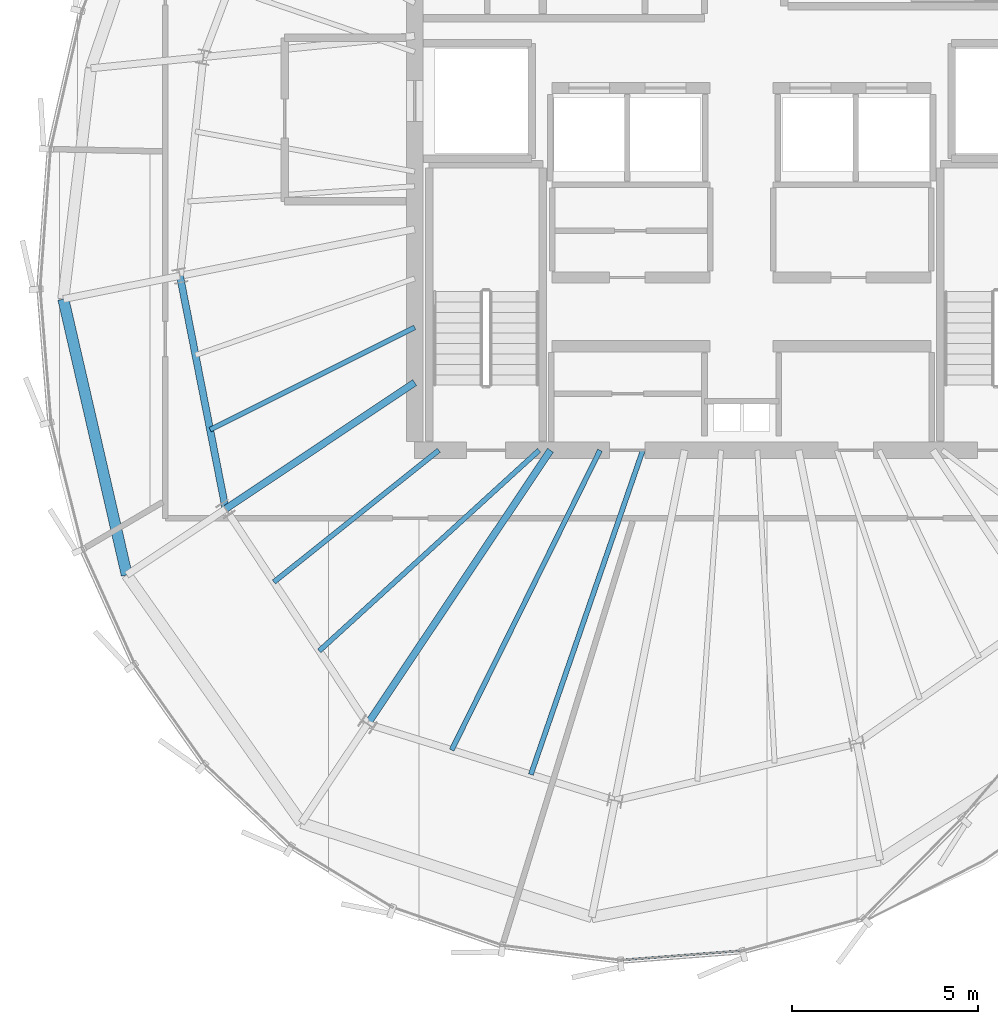
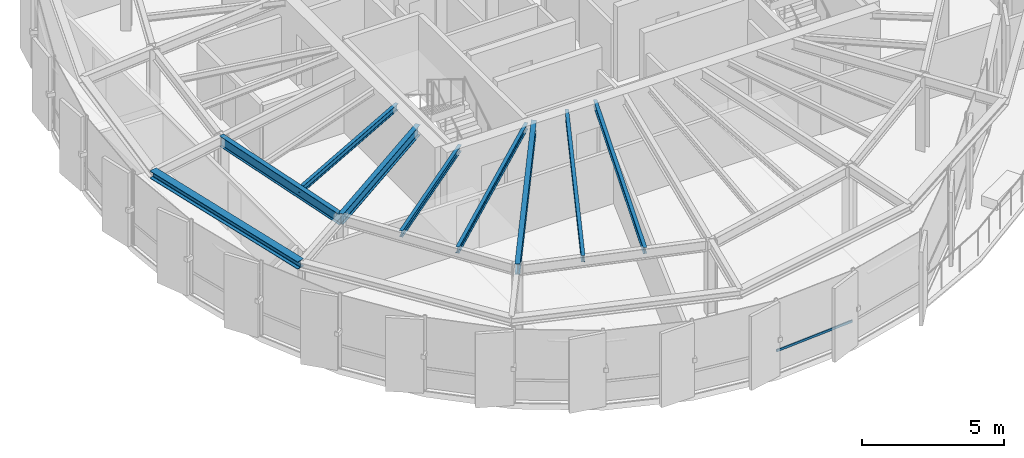
# One storey, part 5 of 30: 9 beams, 1 member, 1 element without a shape of its own.
"""IFC4 building model written with IfcOpenShell, lengths in metres."""

from ifc_helpers import new_model, si_unit, direction, frame, origin, origin_2d, place, context, subcontext, project, spatial, hollow_rectangle, i_section, extrude, source, transform, mapped, material, layer, layer_set, material_profile, profile_set, type_object, element, aggregate, save


model = new_model("IFC4")

# Units and contexts
model_context = context("Model", 3, precision=1e-05, world=origin(), true_north=direction((0.0, 1.0)))
body_context = subcontext(model_context, "Body", "Model", "MODEL_VIEW")
ifc_project = project(units=[si_unit("LENGTHUNIT", "METRE"), si_unit("AREAUNIT", "SQUARE_METRE"), si_unit("VOLUMEUNIT", "CUBIC_METRE"), si_unit("PLANEANGLEUNIT", "RADIAN"), si_unit("MASSUNIT", "GRAM", prefix="KILO"), si_unit("THERMODYNAMICTEMPERATUREUNIT", "KELVIN")], contexts=[model_context])

# Site, building, storey
site_placement = place(None, origin())
site = spatial("IfcSite", under=ifc_project, at=site_placement, CompositionType="ELEMENT")
building_placement = place(site_placement, origin())
building = spatial("IfcBuilding", under=site, at=building_placement, Name="Kethvar Cultural Tower", CompositionType="ELEMENT")
storey_placement = place(building_placement, frame((0.0, 0.0, 293.949951171875)))
storey = spatial("IfcBuildingStorey", under=building, at=storey_placement, Name="L78", CompositionType="ELEMENT", Elevation=293.949951171875)

# Beams
ifc_material_1 = material(Name="Steel S355J2", Category="steel")
ifc_material_profile_1 = material_profile(ifc_material_1, i_section(OverallWidth=0.18994140625, OverallDepth=0.449951171875, WebThickness=0.009521484375, FlangeThickness=0.0146484375, FilletRadius=0.02099609375, at=origin_2d()), Name="Steel S355J2 — IPE450")
ifc_profile_set_1 = profile_set([ifc_material_profile_1], Name="Steel S355J2 — IPE450")
beam_type_1 = type_object("IfcBeamType", Name="BM-IPE450", PredefinedType="BEAM", material=ifc_profile_set_1)
shared_shape_1 = source(origin(), body_context, "Body", "SweptSolid", [
    extrude(i_section(OverallWidth=0.18994140625, OverallDepth=0.449951171875, WebThickness=0.009521484375, FlangeThickness=0.0146484375, FilletRadius=0.02099609375, at=origin_2d()), origin(), (0.0, 0.0, 1.0), 6.118408203125),
])
beam_1_placement = place(storey_placement, frame((38.0, 21.920166015625, 2.983154296875), z_axis=(-0.831466631282, -0.555574694406, 0.0), x_axis=(0.555574694406, -0.831466631282, 0.0)))
element("IfcBeam", 1, at=beam_1_placement, inside=storey, type_object=beam_type_1, Name="L78 Primary Radial Beam RB-10", PredefinedType="BEAM", context=body_context, shape_type="MappedRepresentation", body=[
    mapped(shared_shape_1, transform((0.0, 0.0, 0.0), scale=1.0)),
])
shared_shape_2 = source(origin(), body_context, "Body", "SweptSolid", [
    extrude(i_section(OverallWidth=0.18994140625, OverallDepth=0.449951171875, WebThickness=0.009521484375, FlangeThickness=0.0146484375, FilletRadius=0.02099609375, at=origin_2d()), origin(), (0.0, 0.0, 1.0), 8.86279296875),
])
beam_2_placement = place(storey_placement, frame((41.655029296875, 20.10009765625, 2.983154296875), z_axis=(-0.555564443415, -0.831473480764, 0.0), x_axis=(0.831473480764, -0.555564443415, 0.0)))
element("IfcBeam", 2, at=beam_2_placement, inside=storey, type_object=beam_type_1, Name="L78 Primary Radial Beam RB-11", PredefinedType="BEAM", context=body_context, shape_type="MappedRepresentation", body=[
    mapped(shared_shape_2, transform((0.0, 0.0, 0.0), scale=1.0)),
])
shared_shape_3 = source(origin(), body_context, "Body", "SweptSolid", [
    extrude(i_section(OverallWidth=0.18994140625, OverallDepth=0.449951171875, WebThickness=0.009521484375, FlangeThickness=0.0146484375, FilletRadius=0.02099609375, at=origin_2d()), origin(), (0.0, 0.0, 1.0), 6.391357421875),
])
beam_3_placement = place(storey_placement, frame((31.68310546875, 24.79296875, 2.983154296875), z_axis=(0.192405084368, -0.981315588131, 0.0), x_axis=(0.981315588131, 0.192405084368, 0.0)))
element("IfcBeam", 3, at=beam_3_placement, inside=storey, type_object=beam_type_1, Name="L78 Column Ring Tie Beam CR-09", PredefinedType="BEAM", context=body_context, shape_type="MappedRepresentation", body=[
    mapped(shared_shape_3, transform((0.0, 0.0, 0.0), scale=1.0)),
])
ifc_material_profile_2 = material_profile(ifc_material_1, i_section(OverallWidth=0.300048828125, OverallDepth=0.320068359375, WebThickness=0.011474609375, FlangeThickness=0.0205078125, FilletRadius=0.027099609375, at=origin_2d()), Name="Steel S355J2 — HEB320")
ifc_profile_set_2 = profile_set([ifc_material_profile_2], Name="Steel S355J2 — HEB320")
beam_type_2 = type_object("IfcBeamType", Name="BM-SP320", PredefinedType="SPANDREL", material=ifc_profile_set_2)
shared_shape_4 = source(origin(), body_context, "Body", "SweptSolid", [
    extrude(i_section(OverallWidth=0.300048828125, OverallDepth=0.320068359375, WebThickness=0.011474609375, FlangeThickness=0.0205078125, FilletRadius=0.027099609375, at=origin_2d()), origin(), (0.0, 0.0, 1.0), 7.619384765625),
])
beam_4_placement = place(storey_placement, frame((28.54443359375, 24.168701171875, 3.048095703125), z_axis=(0.224133998424, -0.974558336248, 0.0), x_axis=(0.974558336248, 0.224133998424, 0.0)))
element("IfcBeam", 4, at=beam_4_placement, inside=storey, type_object=beam_type_2, Name="L78 Perimeter Spandrel Beam SP-09", PredefinedType="SPANDREL", context=body_context, shape_type="MappedRepresentation", body=[
    mapped(shared_shape_4, transform((0.0, 0.0, 0.0), scale=1.0)),
])
ifc_material_profile_3 = material_profile(ifc_material_1, i_section(OverallWidth=0.135009765625, OverallDepth=0.27001953125, WebThickness=0.006591796875, FlangeThickness=0.01025390625, FilletRadius=0.014892578125, at=origin_2d()), Name="Steel S355J2 — IPE270")
ifc_profile_set_3 = profile_set([ifc_material_profile_3], Name="Steel S355J2 — IPE270")
beam_type_3 = type_object("IfcBeamType", Name="BM-J270", PredefinedType="JOIST", material=ifc_profile_set_3)
shared_shape_5 = source(origin(), body_context, "Body", "SweptSolid", [
    extrude(i_section(OverallWidth=0.135009765625, OverallDepth=0.27001953125, WebThickness=0.006591796875, FlangeThickness=0.01025390625, FilletRadius=0.014892578125, at=origin_2d()), origin(), (0.0, 0.0, 1.0), 6.154052734375),
])
beam_5_placement = place(storey_placement, frame((38.0, 23.40380859375, 3.072998046875), z_axis=(-0.89458581954, -0.446896197655, 0.0), x_axis=(0.446896197655, -0.89458581954, 0.0)))
element("IfcBeam", 5, at=beam_5_placement, inside=storey, type_object=beam_type_3, Name="L78 Composite Floor Joist J-09B", PredefinedType="JOIST", context=body_context, shape_type="MappedRepresentation", body=[
    mapped(shared_shape_5, transform((0.0, 0.0, 0.0), scale=1.0)),
])
shared_shape_6 = source(origin(), body_context, "Body", "SweptSolid", [
    extrude(i_section(OverallWidth=0.135009765625, OverallDepth=0.27001953125, WebThickness=0.006591796875, FlangeThickness=0.01025390625, FilletRadius=0.014892578125, at=origin_2d()), origin(), (0.0, 0.0, 1.0), 5.68212890625),
])
beam_6_placement = place(storey_placement, frame((38.64990234375, 20.10009765625, 3.072998046875), z_axis=(-0.781157957733, -0.624333440615, 0.0), x_axis=(0.624333440615, -0.781157957733, 0.0)))
element("IfcBeam", 6, at=beam_6_placement, inside=storey, type_object=beam_type_3, Name="L78 Composite Floor Joist J-10A", PredefinedType="JOIST", context=body_context, shape_type="MappedRepresentation", body=[
    mapped(shared_shape_6, transform((0.0, 0.0, 0.0), scale=1.0)),
])
shared_shape_7 = source(origin(), body_context, "Body", "SweptSolid", [
    extrude(i_section(OverallWidth=0.135009765625, OverallDepth=0.27001953125, WebThickness=0.006591796875, FlangeThickness=0.01025390625, FilletRadius=0.014892578125, at=origin_2d()), origin(), (0.0, 0.0, 1.0), 8.010986328125),
])
beam_7_placement = place(storey_placement, frame((41.35009765625, 20.10009765625, 3.072998046875), z_axis=(-0.738614798856, -0.674127717061, 0.0), x_axis=(0.674127717061, -0.738614798856, 0.0)))
element("IfcBeam", 7, at=beam_7_placement, inside=storey, type_object=beam_type_3, Name="L78 Composite Floor Joist J-10B", PredefinedType="JOIST", context=body_context, shape_type="MappedRepresentation", body=[
    mapped(shared_shape_7, transform((0.0, 0.0, 0.0), scale=1.0)),
])
shared_shape_8 = source(origin(), body_context, "Body", "SweptSolid", [
    extrude(i_section(OverallWidth=0.135009765625, OverallDepth=0.27001953125, WebThickness=0.006591796875, FlangeThickness=0.01025390625, FilletRadius=0.014892578125, at=origin_2d()), origin(), (0.0, 0.0, 1.0), 9.00341796875),
])
beam_8_placement = place(storey_placement, frame((42.989501953125, 20.10009765625, 3.072998046875), z_axis=(-0.443543695319, -0.896252749141, 0.0), x_axis=(0.896252749141, -0.443543695319, 0.0)))
element("IfcBeam", 8, at=beam_8_placement, inside=storey, type_object=beam_type_3, Name="L78 Composite Floor Joist J-11A", PredefinedType="JOIST", context=body_context, shape_type="MappedRepresentation", body=[
    mapped(shared_shape_8, transform((0.0, 0.0, 0.0), scale=1.0)),
])
shared_shape_9 = source(origin(), body_context, "Body", "SweptSolid", [
    extrude(i_section(OverallWidth=0.135009765625, OverallDepth=0.27001953125, WebThickness=0.006591796875, FlangeThickness=0.01025390625, FilletRadius=0.014892578125, at=origin_2d()), origin(), (0.0, 0.0, 1.0), 9.234130859375),
])
beam_9_placement = place(storey_placement, frame((44.1416015625, 20.10009765625, 3.072998046875), z_axis=(-0.326362208058, -0.945244787953, 0.0), x_axis=(0.945244787953, -0.326362208058, 0.0)))
element("IfcBeam", 9, at=beam_9_placement, inside=storey, type_object=beam_type_3, Name="L78 Composite Floor Joist J-11B", PredefinedType="JOIST", context=body_context, shape_type="MappedRepresentation", body=[
    mapped(shared_shape_9, transform((0.0, 0.0, 0.0), scale=1.0)),
])

# Curtain wall, member
ifc_material_2 = material(Name="Aluminium 6063-T6", Category="aluminium")
ifc_layer = layer(ifc_material_2, 0.179931640625, Name="Aluminium 6063-T6", Category="aluminium")
ifc_layer_set = layer_set([ifc_layer], Name="Aluminium 6063-T6 (180 mm)")
curtain_wall_type = type_object("IfcCurtainWallType", Name="CW-SYS-05-Z56", PredefinedType="NOTDEFINED", material=ifc_layer_set)
curtain_wall_placement = place(storey_placement, origin())
curtain_wall = element("IfcCurtainWall", 10, at=curtain_wall_placement, inside=storey, type_object=curtain_wall_type, Name="L78 Curtain Wall Run 04", PredefinedType="NOTDEFINED")
ifc_material_profile_4 = material_profile(ifc_material_2, hollow_rectangle(XDim=0.050048828125, YDim=0.10009765625, WallThickness=0.00390625, at=origin_2d()), Name="Aluminium 6063-T6 — RHS100x50x4")
ifc_profile_set_4 = profile_set([ifc_material_profile_4], Name="Aluminium 6063-T6 — RHS100x50x4")
member_type = type_object("IfcMemberType", Name="CW-SYS-05-Z56-TRN", PredefinedType="USERDEFINED", material=ifc_profile_set_4)
shared_shape_10 = source(origin(), body_context, "Body", "SweptSolid", [
    extrude(hollow_rectangle(XDim=0.050048828125, YDim=0.10009765625, WallThickness=0.00390625, at=origin_2d()), origin(), (0.0, 0.0, 1.0), 3.227783203125),
])
member_placement = place(storey_placement, frame((43.582275390625, 6.380859375, 0.949951171875), z_axis=(0.997007581853, 0.077303827377, 0.0), x_axis=(-0.077303827377, 0.997007581853, 0.0)))
member = element("IfcMember", 11, at=member_placement, type_object=member_type, Name="CW-L78-R04 Transom 3", ObjectType="TRANSOM", PredefinedType="USERDEFINED", context=body_context, shape_type="MappedRepresentation", body=[
    mapped(shared_shape_10, transform((0.0, 0.0, 0.0), scale=1.0)),
])
aggregate(curtain_wall, [member])

save(model, "model.ifc")
